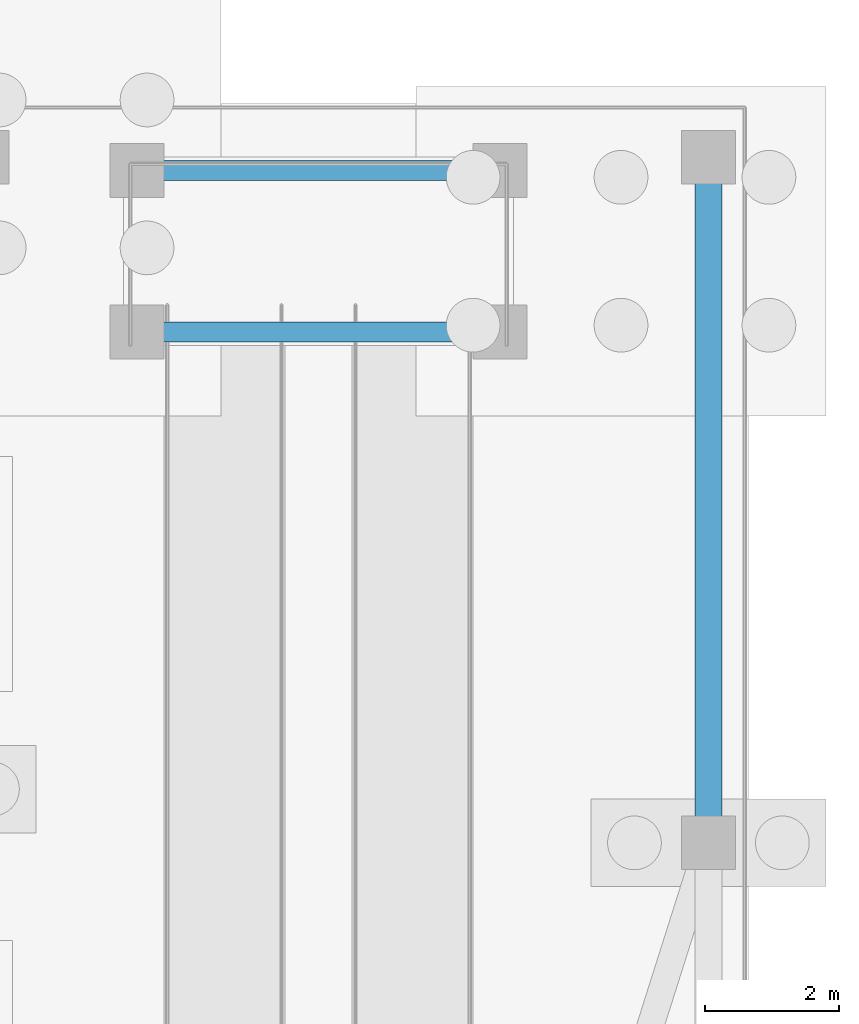
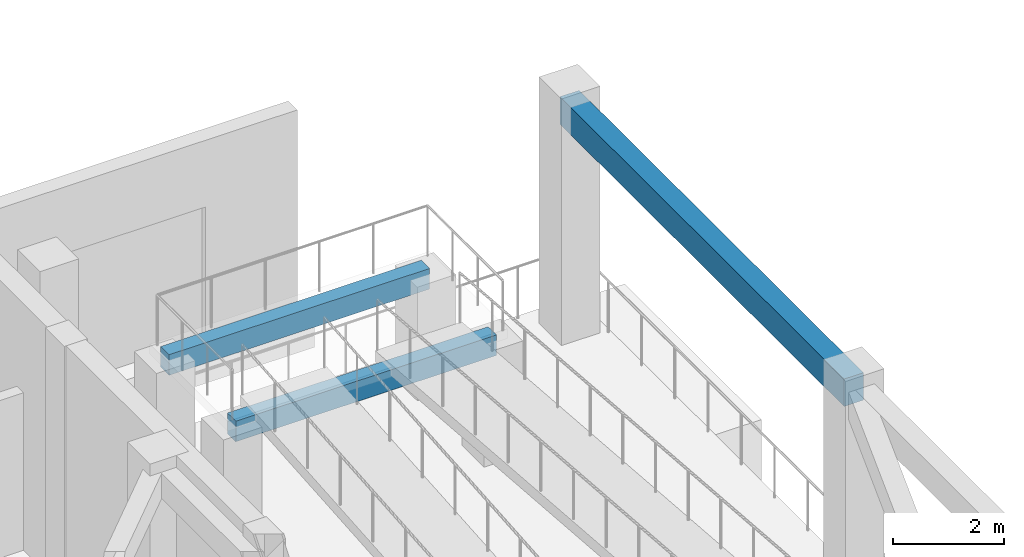
# One storey, part 36 of 96: 3 beams.
"""IFC4 building model written with IfcOpenShell, lengths in metres."""

from ifc_helpers import new_model, si_unit, direction, frame, origin, origin_2d, place, context, subcontext, project, spatial, rectangle, extrude, material, material_profile, profile_set, type_object, element, save


model = new_model("IFC4")

# Units and contexts
model_context = context("Model", 3, precision=1e-05, world=origin(), true_north=direction((0.0, 1.0)))
body_context = subcontext(model_context, "Body", "Model", "MODEL_VIEW")
ifc_project = project(units=[si_unit("LENGTHUNIT", "METRE"), si_unit("AREAUNIT", "SQUARE_METRE"), si_unit("VOLUMEUNIT", "CUBIC_METRE"), si_unit("PLANEANGLEUNIT", "RADIAN"), si_unit("MASSUNIT", "GRAM", prefix="KILO")], contexts=[model_context])

# Site, building, storey
site_placement = place(None, origin())
site = spatial("IfcSite", under=ifc_project, at=site_placement, CompositionType="ELEMENT")
building_placement = place(site_placement, origin())
building = spatial("IfcBuilding", under=site, at=building_placement, Name="Pelvatis Terrace Science Centre", CompositionType="ELEMENT")
storey_placement = place(building_placement, origin())
storey = spatial("IfcBuildingStorey", under=building, at=storey_placement, Name="L00", CompositionType="ELEMENT", Elevation=0.0)

# Beams
ifc_material_1 = material(Name="Concrete C35/45", Category="concrete")
ifc_material_profile_1 = material_profile(ifc_material_1, rectangle(XDim=0.300048828125, YDim=0.449951171875, at=origin_2d()), Name="RC-BM 300x450")
ifc_profile_set_1 = profile_set([ifc_material_profile_1], Name="Concrete C35/45")
beam_type_1 = type_object("IfcBeamType", Name="BM-RC-300x450", PredefinedType="BEAM", material=ifc_profile_set_1)
for number, where, z_axis, x_axis, name in (
    (1, (49.699951171875, 81.60009765625, 2.3798828125), (1.0, 0.0, 0.0), (0.0, 1.0, 0.0), "Monumental stair landing beam 7"),
    (2, (49.699951171875, 84.0, 2.3798828125), (1.0, 0.0, 0.0), (0.0, 1.0, 0.0), "Monumental stair landing beam 8"),
):
    element("IfcBeam", number, at=place(storey_placement, frame(where, z_axis=z_axis, x_axis=x_axis)), inside=storey, type_object=beam_type_1, Name=name, PredefinedType="BEAM", context=body_context, shape_type="SweptSolid", body=[
        extrude(rectangle(XDim=0.300048828125, YDim=0.449951171875, at=origin_2d()), origin(), (0.0, 0.0, 1.0), 5.400146484375),
    ])
ifc_material_2 = material(Name="Concrete C35/45", Category="concrete")
ifc_material_profile_2 = material_profile(ifc_material_2, rectangle(XDim=0.39990234375, YDim=0.60009765625, at=origin_2d()), Name="RC-BM 400x600")
ifc_profile_set_2 = profile_set([ifc_material_profile_2], Name="Concrete C35/45")
beam_type_2 = type_object("IfcBeamType", Name="BM-RC-400x600", PredefinedType="BEAM", material=ifc_profile_set_2)
beam_placement = place(storey_placement, frame((58.199951171875, 74.0, 4.840087890625), z_axis=(0.0, 1.0, 0.0), x_axis=(-1.0, 0.0, 0.0)))
element("IfcBeam", 3, at=beam_placement, inside=storey, type_object=beam_type_2, Name="Beam BM-L00-2533", PredefinedType="BEAM", context=body_context, shape_type="SweptSolid", body=[
    extrude(rectangle(XDim=0.39990234375, YDim=0.60009765625, at=origin_2d()), origin(), (0.0, 0.0, 1.0), 10.199951171875),
])

save(model, "model.ifc")
